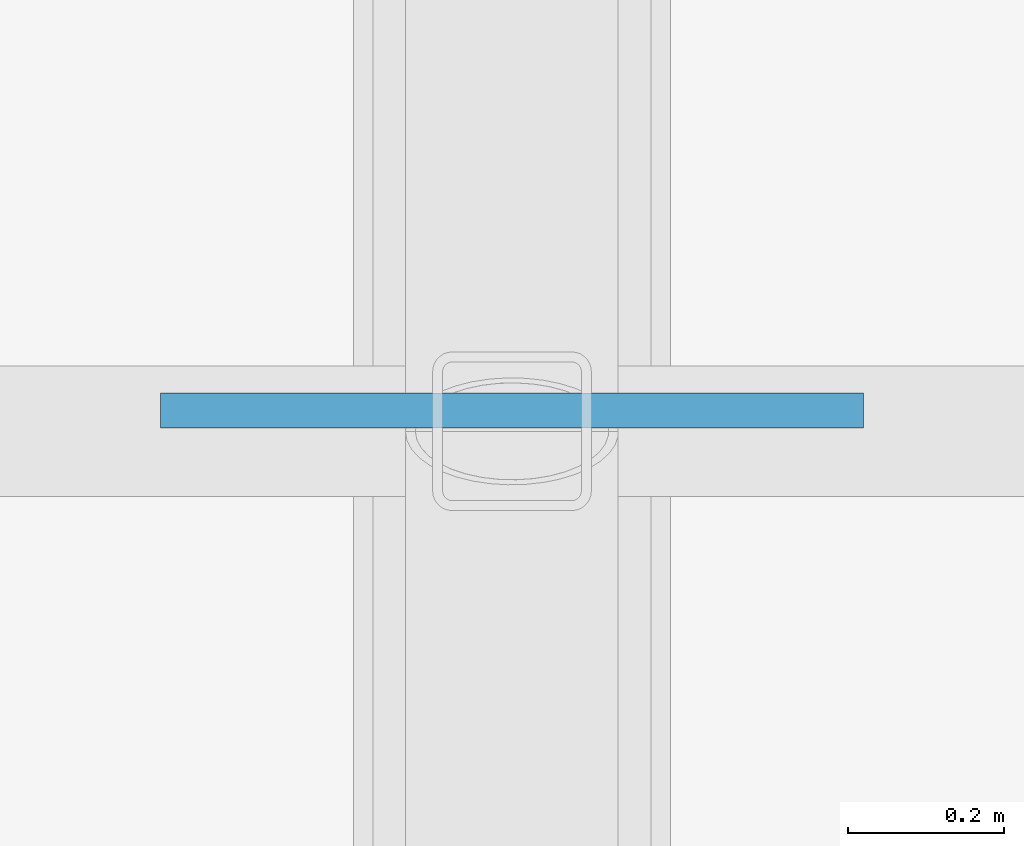
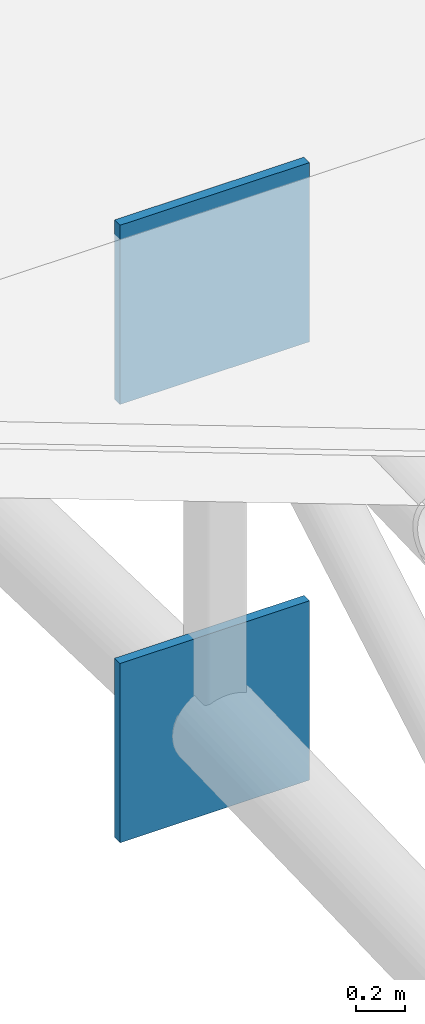
# One storey, part 77 of 98: 2 plates.
"""IFC4 building model written with IfcOpenShell, lengths in metres."""

from ifc_helpers import new_model, si_unit, direction, frame, origin, origin_2d, place, context, subcontext, project, spatial, rectangle, extrude, material, layer, layer_set, type_object, element, save


model = new_model("IFC4")

# Units and contexts
model_context = context("Model", 3, precision=1e-05, world=origin(), true_north=direction((0.0, 1.0)))
body_context = subcontext(model_context, "Body", "Model", "MODEL_VIEW")
ifc_project = project(units=[si_unit("LENGTHUNIT", "METRE"), si_unit("AREAUNIT", "SQUARE_METRE"), si_unit("VOLUMEUNIT", "CUBIC_METRE"), si_unit("PLANEANGLEUNIT", "RADIAN"), si_unit("MASSUNIT", "GRAM", prefix="KILO")], contexts=[model_context])

# Site, building, storey
site_placement = place(None, origin())
site = spatial("IfcSite", under=ifc_project, at=site_placement, CompositionType="ELEMENT")
building_placement = place(site_placement, origin())
building = spatial("IfcBuilding", under=site, at=building_placement, Name="Tlacozan Convention Centre", CompositionType="ELEMENT")
storey_placement = place(building_placement, frame((0.0, 0.0, 25.800048828125)))
storey = spatial("IfcBuildingStorey", under=building, at=storey_placement, Name="Roof", CompositionType="ELEMENT", Elevation=25.800048828125)

# Plates
ifc_material = material(Name="Steel ASTM A572 Grade 50", Category="steel")
ifc_layer = layer(ifc_material, 0.044921875)
ifc_layer_set = layer_set([ifc_layer], Name="Steel ASTM A572 Grade 50")
plate_type = type_object("IfcPlateType", Name="Arch Springing Node Gusset Plate", PredefinedType="SHEET", material=ifc_layer_set)
for number, where, z_axis, x_axis, name in (
    (1, (80.0, 94.026611328125, -3.04931640625), (0.0, 0.0, 1.0), (0.0, 1.0, 0.0), "Roof Gusset Cap Plate 357"),
    (2, (80.0, 94.026611328125, -5.249267578125), (0.0, 0.0, 1.0), (0.0, 1.0, 0.0), "Roof Gusset Cap Plate 358"),
):
    element("IfcPlate", number, at=place(storey_placement, frame(where, z_axis=z_axis, x_axis=x_axis)), inside=storey, type_object=plate_type, Name=name, PredefinedType="SHEET", context=body_context, shape_type="SweptSolid", body=[
        extrude(rectangle(XDim=0.044921875, YDim=0.89990234375, at=origin_2d()), origin(), (0.0, 0.0, 1.0), 0.89990234375),
    ])

save(model, "model.ifc")
